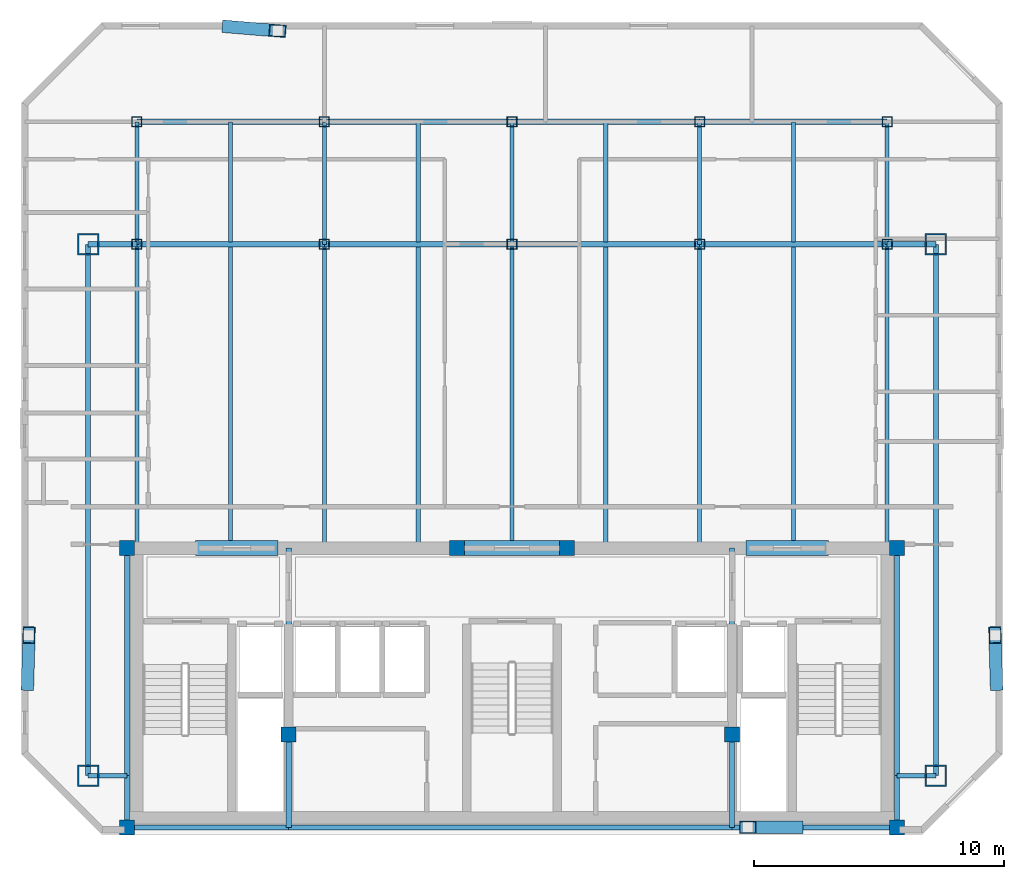
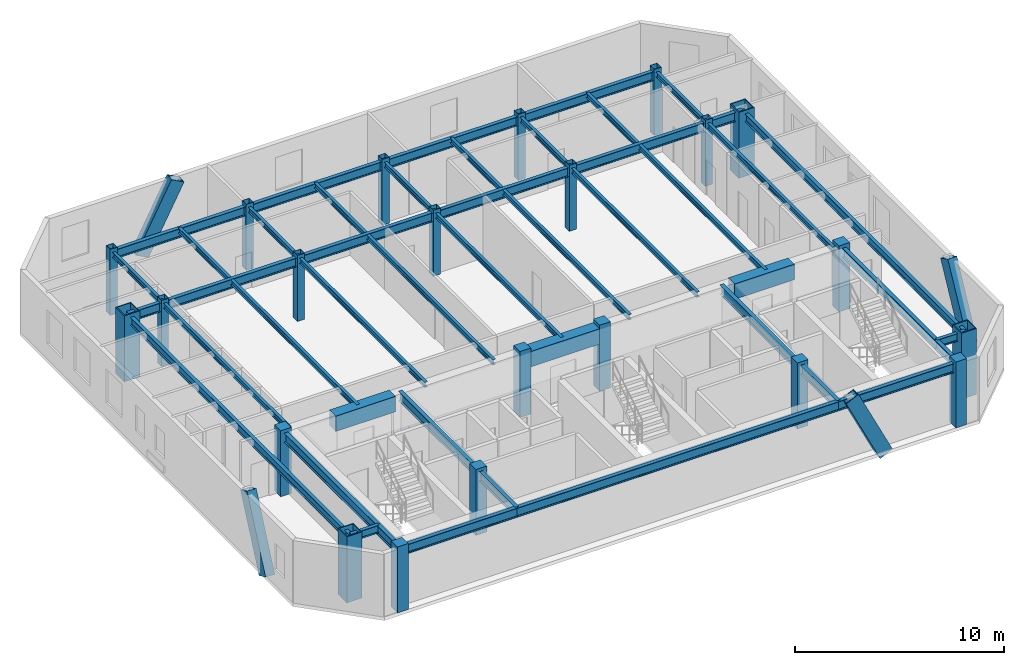
# One storey, part 1 of 7: 46 beams, 22 columns, 4 members.
"""IFC4 building model written with IfcOpenShell, lengths in metres."""

from ifc_helpers import new_model, si_unit, direction, frame, origin, origin_2d, place, context, subcontext, project, spatial, rectangle, hollow_rectangle, i_section, extrude, material, material_profile, profile_set, type_object, element, save


model = new_model("IFC4")

# Units and contexts
model_context = context("Model", 3, precision=1e-05, world=origin(), true_north=direction((0.0, 1.0)))
body_context = subcontext(model_context, "Body", "Model", "MODEL_VIEW")
ifc_project = project(units=[si_unit("LENGTHUNIT", "METRE"), si_unit("AREAUNIT", "SQUARE_METRE"), si_unit("VOLUMEUNIT", "CUBIC_METRE"), si_unit("PLANEANGLEUNIT", "RADIAN"), si_unit("MASSUNIT", "GRAM", prefix="KILO")], contexts=[model_context])

# Site, building, storey
site_placement = place(None, origin())
site = spatial("IfcSite", under=ifc_project, at=site_placement, CompositionType="ELEMENT")
building_placement = place(site_placement, origin())
building = spatial("IfcBuilding", under=site, at=building_placement, Name="Ventersveld Concourse Tower", CompositionType="ELEMENT")
storey_placement = place(building_placement, frame((0.0, 0.0, 324.60009765625)))
storey = spatial("IfcBuildingStorey", under=building, at=storey_placement, Name="L80", CompositionType="ELEMENT", Elevation=324.60009765625)

# Columns
ifc_material_1 = material(Name="Concrete C50/60", Category="concrete")
ifc_material_profile_1 = material_profile(ifc_material_1, rectangle(XDim=0.60009765625, YDim=0.60009765625, at=origin_2d()), Name="RC 600x600")
ifc_profile_set_1 = profile_set([ifc_material_profile_1], Name="Concrete C50/60")
column_type_1 = type_object("IfcColumnType", Name="COL-RC600", PredefinedType="COLUMN", material=ifc_profile_set_1)
for number, where, z_axis, x_axis, name in (
    (1, (13.35009765625, 0.280029296875, 0.0), (0.0, 0.0, 1.0), (1.0, 0.0, 0.0), "L80 Core Spine Column CC-SW"),
    (2, (44.14990234375, 0.280029296875, 0.0), (0.0, 0.0, 1.0), (1.0, 0.0, 0.0), "L80 Core Spine Column CC-SE"),
    (3, (13.35009765625, 11.449951171875, 0.0), (0.0, 0.0, 1.0), (1.0, 0.0, 0.0), "L80 Core Spine Column CC-NW"),
    (4, (44.14990234375, 11.449951171875, 0.0), (0.0, 0.0, 1.0), (1.0, 0.0, 0.0), "L80 Core Spine Column CC-NE"),
    (5, (19.820068359375, 4.0, 0.0), (0.0, 0.0, 1.0), (1.0, 0.0, 0.0), "L80 Core Spine Column CM-1"),
    (6, (37.550048828125, 4.0, 0.0), (0.0, 0.0, 1.0), (1.0, 0.0, 0.0), "L80 Core Spine Column CM-2"),
    (7, (26.550048828125, 11.449951171875, 0.0), (0.0, 0.0, 1.0), (1.0, 0.0, 0.0), "L80 Core Spine Column CM-3"),
    (8, (30.949951171875, 11.449951171875, 0.0), (0.0, 0.0, 1.0), (1.0, 0.0, 0.0), "L80 Core Spine Column CM-4"),
):
    element("IfcColumn", number, at=place(storey_placement, frame(where, z_axis=z_axis, x_axis=x_axis)), inside=storey, type_object=column_type_1, Name=name, PredefinedType="COLUMN", context=body_context, shape_type="SweptSolid", body=[
        extrude(rectangle(XDim=0.60009765625, YDim=0.60009765625, at=origin_2d()), origin(), (0.0, 0.0, 1.0), 3.849853515625),
    ])
ifc_material_2 = material(Name="Structural steel S355J2", Category="steel")
ifc_material_profile_2 = material_profile(ifc_material_2, hollow_rectangle(XDim=0.39990234375, YDim=0.39990234375, WallThickness=0.02001953125, at=origin_2d()), Name="SHS 400x400x20")
ifc_profile_set_2 = profile_set([ifc_material_profile_2], Name="Structural steel S355J2")
column_type_2 = type_object("IfcColumnType", Name="COL-SHS400", PredefinedType="COLUMN", material=ifc_profile_set_2)
for number, where, z_axis, x_axis, name in (
    (9, (13.75, 23.60009765625, 0.0), (0.0, 0.0, 1.0), (1.0, 0.0, 0.0), "L80 Interior Gravity Column X=13.75 Y=23.60"),
    (10, (21.25, 23.60009765625, 0.0), (0.0, 0.0, 1.0), (1.0, 0.0, 0.0), "L80 Interior Gravity Column X=21.25 Y=23.60"),
    (11, (28.75, 23.60009765625, 0.0), (0.0, 0.0, 1.0), (1.0, 0.0, 0.0), "L80 Interior Gravity Column X=28.75 Y=23.60"),
    (12, (36.25, 23.60009765625, 0.0), (0.0, 0.0, 1.0), (1.0, 0.0, 0.0), "L80 Interior Gravity Column X=36.25 Y=23.60"),
    (13, (43.75, 23.60009765625, 0.0), (0.0, 0.0, 1.0), (1.0, 0.0, 0.0), "L80 Interior Gravity Column X=43.75 Y=23.60"),
    (14, (13.75, 28.5, 0.0), (0.0, 0.0, 1.0), (1.0, 0.0, 0.0), "L80 Upper-North Gravity Column X=13.75 Y=28.50"),
    (15, (21.25, 28.5, 0.0), (0.0, 0.0, 1.0), (1.0, 0.0, 0.0), "L80 Upper-North Gravity Column X=21.25 Y=28.50"),
    (16, (28.75, 28.5, 0.0), (0.0, 0.0, 1.0), (1.0, 0.0, 0.0), "L80 Upper-North Gravity Column X=28.75 Y=28.50"),
    (17, (36.25, 28.5, 0.0), (0.0, 0.0, 1.0), (1.0, 0.0, 0.0), "L80 Upper-North Gravity Column X=36.25 Y=28.50"),
    (18, (43.75, 28.5, 0.0), (0.0, 0.0, 1.0), (1.0, 0.0, 0.0), "L80 Upper-North Gravity Column X=43.75 Y=28.50"),
):
    element("IfcColumn", number, at=place(storey_placement, frame(where, z_axis=z_axis, x_axis=x_axis)), inside=storey, type_object=column_type_2, Name=name, PredefinedType="COLUMN", context=body_context, shape_type="SweptSolid", body=[
        extrude(hollow_rectangle(XDim=0.39990234375, YDim=0.39990234375, WallThickness=0.02001953125, at=origin_2d()), origin(), (0.0, 0.0, 1.0), 3.849853515625),
    ])
ifc_material_3 = material(Name="Structural steel S460ML", Category="steel")
ifc_material_profile_3 = material_profile(ifc_material_3, hollow_rectangle(XDim=0.85009765625, YDim=0.85009765625, WallThickness=0.050048828125, at=origin_2d()), Name="BOX 850x850x50")
ifc_profile_set_3 = profile_set([ifc_material_profile_3], Name="Structural steel S460ML")
column_type_3 = type_object("IfcColumnType", Name="MC-850", PredefinedType="USERDEFINED", material=ifc_profile_set_3)
for number, where, z_axis, x_axis, name in (
    (19, (11.800048828125, 2.35009765625, 0.0), (0.0, 0.0, 1.0), (1.0, 0.0, 0.0), "L80 Corner Mega-Column MC-SW"),
    (20, (45.699951171875, 2.35009765625, 0.0), (0.0, 0.0, 1.0), (1.0, 0.0, 0.0), "L80 Corner Mega-Column MC-SE"),
    (21, (45.699951171875, 23.60009765625, 0.0), (0.0, 0.0, 1.0), (1.0, 0.0, 0.0), "L80 Corner Mega-Column MC-NE"),
    (22, (11.800048828125, 23.60009765625, 0.0), (0.0, 0.0, 1.0), (1.0, 0.0, 0.0), "L80 Corner Mega-Column MC-NW"),
):
    element("IfcColumn", number, at=place(storey_placement, frame(where, z_axis=z_axis, x_axis=x_axis)), inside=storey, type_object=column_type_3, Name=name, ObjectType="MEGA_COLUMN", PredefinedType="USERDEFINED", context=body_context, shape_type="SweptSolid", body=[
        extrude(hollow_rectangle(XDim=0.85009765625, YDim=0.85009765625, WallThickness=0.050048828125, at=origin_2d()), origin(), (0.0, 0.0, 1.0), 3.849853515625),
    ])

# Beams
ifc_material_profile_4 = material_profile(ifc_material_2, i_section(OverallWidth=0.1650390625, OverallDepth=0.303466796875, WebThickness=0.006103515625, FlangeThickness=0.01025390625, FilletRadius=0.0087890625, at=origin_2d()), Name="UB 305x165x40")
ifc_profile_set_4 = profile_set([ifc_material_profile_4], Name="Structural steel S355J2")
beam_type_1 = type_object("IfcBeamType", Name="BM-UB305", PredefinedType="BEAM", material=ifc_profile_set_4)
beam_1_placement = place(storey_placement, frame((13.75, 11.449951171875, 3.498291015625), z_axis=(0.0, 1.0, 0.0), x_axis=(-1.0, 0.0, 0.0)))
element("IfcBeam", 23, at=beam_1_placement, inside=storey, type_object=beam_type_1, Name="L80 N-S Composite Floor Beam South X=13.75", PredefinedType="BEAM", context=body_context, shape_type="SweptSolid", body=[
    extrude(i_section(OverallWidth=0.1650390625, OverallDepth=0.303466796875, WebThickness=0.006103515625, FlangeThickness=0.01025390625, FilletRadius=0.0087890625, at=origin_2d()), origin(), (0.0, 0.0, 1.0), 12.150146484375),
])
beam_2_placement = place(storey_placement, frame((13.75, 23.60009765625, 3.498291015625), z_axis=(0.0, 1.0, 0.0), x_axis=(-1.0, 0.0, 0.0)))
element("IfcBeam", 24, at=beam_2_placement, inside=storey, type_object=beam_type_1, Name="L80 N-S Upper-Zone Floor Beam X=13.75", PredefinedType="BEAM", context=body_context, shape_type="SweptSolid", body=[
    extrude(i_section(OverallWidth=0.1650390625, OverallDepth=0.303466796875, WebThickness=0.006103515625, FlangeThickness=0.01025390625, FilletRadius=0.0087890625, at=origin_2d()), origin(), (0.0, 0.0, 1.0), 4.89990234375),
])
beam_3_placement = place(storey_placement, frame((17.5, 11.449951171875, 3.498291015625), z_axis=(0.0, 1.0, 0.0), x_axis=(-1.0, 0.0, 0.0)))
element("IfcBeam", 25, at=beam_3_placement, inside=storey, type_object=beam_type_1, Name="L80 N-S Composite Floor Beam South X=17.50", PredefinedType="BEAM", context=body_context, shape_type="SweptSolid", body=[
    extrude(i_section(OverallWidth=0.1650390625, OverallDepth=0.303466796875, WebThickness=0.006103515625, FlangeThickness=0.01025390625, FilletRadius=0.0087890625, at=origin_2d()), origin(), (0.0, 0.0, 1.0), 12.054931640625),
])
beam_4_placement = place(storey_placement, frame((17.5, 23.695068359375, 3.498291015625), z_axis=(0.0, 1.0, 0.0), x_axis=(-1.0, 0.0, 0.0)))
element("IfcBeam", 26, at=beam_4_placement, inside=storey, type_object=beam_type_1, Name="L80 N-S Upper-Zone Floor Beam X=17.50", PredefinedType="BEAM", context=body_context, shape_type="SweptSolid", body=[
    extrude(i_section(OverallWidth=0.1650390625, OverallDepth=0.303466796875, WebThickness=0.006103515625, FlangeThickness=0.01025390625, FilletRadius=0.0087890625, at=origin_2d()), origin(), (0.0, 0.0, 1.0), 4.804931640625),
])
beam_5_placement = place(storey_placement, frame((21.25, 11.449951171875, 3.498291015625), z_axis=(0.0, 1.0, 0.0), x_axis=(-1.0, 0.0, 0.0)))
element("IfcBeam", 27, at=beam_5_placement, inside=storey, type_object=beam_type_1, Name="L80 N-S Composite Floor Beam South X=21.25", PredefinedType="BEAM", context=body_context, shape_type="SweptSolid", body=[
    extrude(i_section(OverallWidth=0.1650390625, OverallDepth=0.303466796875, WebThickness=0.006103515625, FlangeThickness=0.01025390625, FilletRadius=0.0087890625, at=origin_2d()), origin(), (0.0, 0.0, 1.0), 12.150146484375),
])
beam_6_placement = place(storey_placement, frame((21.25, 23.60009765625, 3.498291015625), z_axis=(0.0, 1.0, 0.0), x_axis=(-1.0, 0.0, 0.0)))
element("IfcBeam", 28, at=beam_6_placement, inside=storey, type_object=beam_type_1, Name="L80 N-S Upper-Zone Floor Beam X=21.25", PredefinedType="BEAM", context=body_context, shape_type="SweptSolid", body=[
    extrude(i_section(OverallWidth=0.1650390625, OverallDepth=0.303466796875, WebThickness=0.006103515625, FlangeThickness=0.01025390625, FilletRadius=0.0087890625, at=origin_2d()), origin(), (0.0, 0.0, 1.0), 4.89990234375),
])
beam_7_placement = place(storey_placement, frame((25.0, 11.449951171875, 3.498291015625), z_axis=(0.0, 1.0, 0.0), x_axis=(-1.0, 0.0, 0.0)))
element("IfcBeam", 29, at=beam_7_placement, inside=storey, type_object=beam_type_1, Name="L80 N-S Composite Floor Beam South X=25.00", PredefinedType="BEAM", context=body_context, shape_type="SweptSolid", body=[
    extrude(i_section(OverallWidth=0.1650390625, OverallDepth=0.303466796875, WebThickness=0.006103515625, FlangeThickness=0.01025390625, FilletRadius=0.0087890625, at=origin_2d()), origin(), (0.0, 0.0, 1.0), 12.054931640625),
])
beam_8_placement = place(storey_placement, frame((25.0, 23.695068359375, 3.498291015625), z_axis=(0.0, 1.0, 0.0), x_axis=(-1.0, 0.0, 0.0)))
element("IfcBeam", 30, at=beam_8_placement, inside=storey, type_object=beam_type_1, Name="L80 N-S Upper-Zone Floor Beam X=25.00", PredefinedType="BEAM", context=body_context, shape_type="SweptSolid", body=[
    extrude(i_section(OverallWidth=0.1650390625, OverallDepth=0.303466796875, WebThickness=0.006103515625, FlangeThickness=0.01025390625, FilletRadius=0.0087890625, at=origin_2d()), origin(), (0.0, 0.0, 1.0), 4.804931640625),
])
beam_9_placement = place(storey_placement, frame((28.75, 11.449951171875, 3.498291015625), z_axis=(0.0, 1.0, 0.0), x_axis=(-1.0, 0.0, 0.0)))
element("IfcBeam", 31, at=beam_9_placement, inside=storey, type_object=beam_type_1, Name="L80 N-S Composite Floor Beam South X=28.75", PredefinedType="BEAM", context=body_context, shape_type="SweptSolid", body=[
    extrude(i_section(OverallWidth=0.1650390625, OverallDepth=0.303466796875, WebThickness=0.006103515625, FlangeThickness=0.01025390625, FilletRadius=0.0087890625, at=origin_2d()), origin(), (0.0, 0.0, 1.0), 12.150146484375),
])
beam_10_placement = place(storey_placement, frame((28.75, 23.60009765625, 3.498291015625), z_axis=(0.0, 1.0, 0.0), x_axis=(-1.0, 0.0, 0.0)))
element("IfcBeam", 32, at=beam_10_placement, inside=storey, type_object=beam_type_1, Name="L80 N-S Upper-Zone Floor Beam X=28.75", PredefinedType="BEAM", context=body_context, shape_type="SweptSolid", body=[
    extrude(i_section(OverallWidth=0.1650390625, OverallDepth=0.303466796875, WebThickness=0.006103515625, FlangeThickness=0.01025390625, FilletRadius=0.0087890625, at=origin_2d()), origin(), (0.0, 0.0, 1.0), 4.89990234375),
])
beam_11_placement = place(storey_placement, frame((32.5, 11.449951171875, 3.498291015625), z_axis=(0.0, 1.0, 0.0), x_axis=(-1.0, 0.0, 0.0)))
element("IfcBeam", 33, at=beam_11_placement, inside=storey, type_object=beam_type_1, Name="L80 N-S Composite Floor Beam South X=32.50", PredefinedType="BEAM", context=body_context, shape_type="SweptSolid", body=[
    extrude(i_section(OverallWidth=0.1650390625, OverallDepth=0.303466796875, WebThickness=0.006103515625, FlangeThickness=0.01025390625, FilletRadius=0.0087890625, at=origin_2d()), origin(), (0.0, 0.0, 1.0), 12.054931640625),
])
beam_12_placement = place(storey_placement, frame((32.5, 23.695068359375, 3.498291015625), z_axis=(0.0, 1.0, 0.0), x_axis=(-1.0, 0.0, 0.0)))
element("IfcBeam", 34, at=beam_12_placement, inside=storey, type_object=beam_type_1, Name="L80 N-S Upper-Zone Floor Beam X=32.50", PredefinedType="BEAM", context=body_context, shape_type="SweptSolid", body=[
    extrude(i_section(OverallWidth=0.1650390625, OverallDepth=0.303466796875, WebThickness=0.006103515625, FlangeThickness=0.01025390625, FilletRadius=0.0087890625, at=origin_2d()), origin(), (0.0, 0.0, 1.0), 4.804931640625),
])
beam_13_placement = place(storey_placement, frame((36.25, 11.449951171875, 3.498291015625), z_axis=(0.0, 1.0, 0.0), x_axis=(-1.0, 0.0, 0.0)))
element("IfcBeam", 35, at=beam_13_placement, inside=storey, type_object=beam_type_1, Name="L80 N-S Composite Floor Beam South X=36.25", PredefinedType="BEAM", context=body_context, shape_type="SweptSolid", body=[
    extrude(i_section(OverallWidth=0.1650390625, OverallDepth=0.303466796875, WebThickness=0.006103515625, FlangeThickness=0.01025390625, FilletRadius=0.0087890625, at=origin_2d()), origin(), (0.0, 0.0, 1.0), 12.150146484375),
])
beam_14_placement = place(storey_placement, frame((36.25, 23.60009765625, 3.498291015625), z_axis=(0.0, 1.0, 0.0), x_axis=(-1.0, 0.0, 0.0)))
element("IfcBeam", 36, at=beam_14_placement, inside=storey, type_object=beam_type_1, Name="L80 N-S Upper-Zone Floor Beam X=36.25", PredefinedType="BEAM", context=body_context, shape_type="SweptSolid", body=[
    extrude(i_section(OverallWidth=0.1650390625, OverallDepth=0.303466796875, WebThickness=0.006103515625, FlangeThickness=0.01025390625, FilletRadius=0.0087890625, at=origin_2d()), origin(), (0.0, 0.0, 1.0), 4.89990234375),
])
beam_15_placement = place(storey_placement, frame((40.0, 11.449951171875, 3.498291015625), z_axis=(0.0, 1.0, 0.0), x_axis=(-1.0, 0.0, 0.0)))
element("IfcBeam", 37, at=beam_15_placement, inside=storey, type_object=beam_type_1, Name="L80 N-S Composite Floor Beam South X=40.00", PredefinedType="BEAM", context=body_context, shape_type="SweptSolid", body=[
    extrude(i_section(OverallWidth=0.1650390625, OverallDepth=0.303466796875, WebThickness=0.006103515625, FlangeThickness=0.01025390625, FilletRadius=0.0087890625, at=origin_2d()), origin(), (0.0, 0.0, 1.0), 12.054931640625),
])
beam_16_placement = place(storey_placement, frame((40.0, 23.695068359375, 3.498291015625), z_axis=(0.0, 1.0, 0.0), x_axis=(-1.0, 0.0, 0.0)))
element("IfcBeam", 38, at=beam_16_placement, inside=storey, type_object=beam_type_1, Name="L80 N-S Upper-Zone Floor Beam X=40.00", PredefinedType="BEAM", context=body_context, shape_type="SweptSolid", body=[
    extrude(i_section(OverallWidth=0.1650390625, OverallDepth=0.303466796875, WebThickness=0.006103515625, FlangeThickness=0.01025390625, FilletRadius=0.0087890625, at=origin_2d()), origin(), (0.0, 0.0, 1.0), 4.804931640625),
])
beam_17_placement = place(storey_placement, frame((43.75, 11.449951171875, 3.498291015625), z_axis=(0.0, 1.0, 0.0), x_axis=(-1.0, 0.0, 0.0)))
element("IfcBeam", 39, at=beam_17_placement, inside=storey, type_object=beam_type_1, Name="L80 N-S Composite Floor Beam South X=43.75", PredefinedType="BEAM", context=body_context, shape_type="SweptSolid", body=[
    extrude(i_section(OverallWidth=0.1650390625, OverallDepth=0.303466796875, WebThickness=0.006103515625, FlangeThickness=0.01025390625, FilletRadius=0.0087890625, at=origin_2d()), origin(), (0.0, 0.0, 1.0), 12.150146484375),
])
beam_18_placement = place(storey_placement, frame((43.75, 23.60009765625, 3.498291015625), z_axis=(0.0, 1.0, 0.0), x_axis=(-1.0, 0.0, 0.0)))
element("IfcBeam", 40, at=beam_18_placement, inside=storey, type_object=beam_type_1, Name="L80 N-S Upper-Zone Floor Beam X=43.75", PredefinedType="BEAM", context=body_context, shape_type="SweptSolid", body=[
    extrude(i_section(OverallWidth=0.1650390625, OverallDepth=0.303466796875, WebThickness=0.006103515625, FlangeThickness=0.01025390625, FilletRadius=0.0087890625, at=origin_2d()), origin(), (0.0, 0.0, 1.0), 4.89990234375),
])
ifc_material_profile_5 = material_profile(ifc_material_1, rectangle(XDim=0.60009765625, YDim=0.89990234375, at=origin_2d()), Name="RC 600x900")
ifc_profile_set_5 = profile_set([ifc_material_profile_5], Name="Concrete C50/60")
beam_type_2 = type_object("IfcBeamType", Name="CB-RC600x900U", PredefinedType="LINTEL", material=ifc_profile_set_5)
beam_19_placement = place(storey_placement, frame((16.10009765625, 11.449951171875, 3.199951171875), z_axis=(1.0, 0.0, 0.0), x_axis=(0.0, 1.0, 0.0)))
element("IfcBeam", 41, at=beam_19_placement, inside=storey, type_object=beam_type_2, Name="L80 Core Coupling Lintel Beam 1", PredefinedType="LINTEL", context=body_context, shape_type="SweptSolid", body=[
    extrude(rectangle(XDim=0.60009765625, YDim=0.89990234375, at=origin_2d()), origin(), (0.0, 0.0, 1.0), 3.2998046875),
])
beam_20_placement = place(storey_placement, frame((26.5, 11.449951171875, 3.199951171875), z_axis=(1.0, 0.0, 0.0), x_axis=(0.0, 1.0, 0.0)))
element("IfcBeam", 42, at=beam_20_placement, inside=storey, type_object=beam_type_2, Name="L80 Core Coupling Lintel Beam 2", PredefinedType="LINTEL", context=body_context, shape_type="SweptSolid", body=[
    extrude(rectangle(XDim=0.60009765625, YDim=0.89990234375, at=origin_2d()), origin(), (0.0, 0.0, 1.0), 4.5),
])
beam_21_placement = place(storey_placement, frame((38.10009765625, 11.449951171875, 3.199951171875), z_axis=(1.0, 0.0, 0.0), x_axis=(0.0, 1.0, 0.0)))
element("IfcBeam", 43, at=beam_21_placement, inside=storey, type_object=beam_type_2, Name="L80 Core Coupling Lintel Beam 3", PredefinedType="LINTEL", context=body_context, shape_type="SweptSolid", body=[
    extrude(rectangle(XDim=0.60009765625, YDim=0.89990234375, at=origin_2d()), origin(), (0.0, 0.0, 1.0), 3.2998046875),
])
ifc_material_profile_6 = material_profile(ifc_material_2, i_section(OverallWidth=0.209228515625, OverallDepth=0.533203125, WebThickness=0.010009765625, FlangeThickness=0.015625, FilletRadius=0.0126953125, at=origin_2d()), Name="UB 533x210x92")
ifc_profile_set_6 = profile_set([ifc_material_profile_6], Name="Structural steel S355J2")
beam_type_3 = type_object("IfcBeamType", Name="GRD-UB533", PredefinedType="T_BEAM", material=ifc_profile_set_6)
beam_22_placement = place(storey_placement, frame((11.800048828125, 23.60009765625, 3.38330078125), z_axis=(1.0, 0.0, 0.0), x_axis=(0.0, 1.0, 0.0)))
element("IfcBeam", 44, at=beam_22_placement, inside=storey, type_object=beam_type_3, Name="L80 Primary E-W Grid Girder Y=23.60 #1", PredefinedType="T_BEAM", context=body_context, shape_type="SweptSolid", body=[
    extrude(i_section(OverallWidth=0.209228515625, OverallDepth=0.533203125, WebThickness=0.010009765625, FlangeThickness=0.015625, FilletRadius=0.0126953125, at=origin_2d()), origin(), (0.0, 0.0, 1.0), 1.949951171875),
])
for number, where, z_axis, x_axis, name in (
    (45, (13.75, 23.60009765625, 3.38330078125), (1.0, 0.0, 0.0), (0.0, 1.0, 0.0), "L80 Primary E-W Grid Girder Y=23.60 #2"),
    (46, (21.25, 23.60009765625, 3.38330078125), (1.0, 0.0, 0.0), (0.0, 1.0, 0.0), "L80 Primary E-W Grid Girder Y=23.60 #3"),
    (47, (28.75, 23.60009765625, 3.38330078125), (1.0, 0.0, 0.0), (0.0, 1.0, 0.0), "L80 Primary E-W Grid Girder Y=23.60 #4"),
    (48, (36.25, 23.60009765625, 3.38330078125), (1.0, 0.0, 0.0), (0.0, 1.0, 0.0), "L80 Primary E-W Grid Girder Y=23.60 #5"),
):
    element("IfcBeam", number, at=place(storey_placement, frame(where, z_axis=z_axis, x_axis=x_axis)), inside=storey, type_object=beam_type_3, Name=name, PredefinedType="T_BEAM", context=body_context, shape_type="SweptSolid", body=[
        extrude(i_section(OverallWidth=0.209228515625, OverallDepth=0.533203125, WebThickness=0.010009765625, FlangeThickness=0.015625, FilletRadius=0.0126953125, at=origin_2d()), origin(), (0.0, 0.0, 1.0), 7.5),
    ])
beam_23_placement = place(storey_placement, frame((43.75, 23.60009765625, 3.38330078125), z_axis=(1.0, 0.0, 0.0), x_axis=(0.0, 1.0, 0.0)))
element("IfcBeam", 49, at=beam_23_placement, inside=storey, type_object=beam_type_3, Name="L80 Primary E-W Grid Girder Y=23.60 #6", PredefinedType="T_BEAM", context=body_context, shape_type="SweptSolid", body=[
    extrude(i_section(OverallWidth=0.209228515625, OverallDepth=0.533203125, WebThickness=0.010009765625, FlangeThickness=0.015625, FilletRadius=0.0126953125, at=origin_2d()), origin(), (0.0, 0.0, 1.0), 1.949951171875),
])
for number, where, z_axis, x_axis, name in (
    (50, (13.75, 28.5, 3.38330078125), (1.0, 0.0, 0.0), (0.0, 1.0, 0.0), "L80 Upper-North E-W Girder Y=28.50 #1"),
    (51, (21.25, 28.5, 3.38330078125), (1.0, 0.0, 0.0), (0.0, 1.0, 0.0), "L80 Upper-North E-W Girder Y=28.50 #2"),
    (52, (28.75, 28.5, 3.38330078125), (1.0, 0.0, 0.0), (0.0, 1.0, 0.0), "L80 Upper-North E-W Girder Y=28.50 #3"),
    (53, (36.25, 28.5, 3.38330078125), (1.0, 0.0, 0.0), (0.0, 1.0, 0.0), "L80 Upper-North E-W Girder Y=28.50 #4"),
):
    element("IfcBeam", number, at=place(storey_placement, frame(where, z_axis=z_axis, x_axis=x_axis)), inside=storey, type_object=beam_type_3, Name=name, PredefinedType="T_BEAM", context=body_context, shape_type="SweptSolid", body=[
        extrude(i_section(OverallWidth=0.209228515625, OverallDepth=0.533203125, WebThickness=0.010009765625, FlangeThickness=0.015625, FilletRadius=0.0126953125, at=origin_2d()), origin(), (0.0, 0.0, 1.0), 7.5),
    ])
ifc_material_profile_7 = material_profile(ifc_material_2, i_section(OverallWidth=0.2119140625, OverallDepth=0.54443359375, WebThickness=0.0126953125, FlangeThickness=0.021240234375, FilletRadius=0.0126953125, at=origin_2d()), Name="UB 533x210x122")
ifc_profile_set_7 = profile_set([ifc_material_profile_7], Name="Structural steel S355J2")
beam_type_4 = type_object("IfcBeamType", Name="GRD-UB533H", PredefinedType="T_BEAM", material=ifc_profile_set_7)
beam_24_placement = place(storey_placement, frame((13.35009765625, 0.280029296875, 3.377685546875), z_axis=(0.0, 1.0, 0.0), x_axis=(-1.0, 0.0, 0.0)))
element("IfcBeam", 54, at=beam_24_placement, inside=storey, type_object=beam_type_4, Name="L80 Core West Tie Beam S", PredefinedType="T_BEAM", context=body_context, shape_type="SweptSolid", body=[
    extrude(i_section(OverallWidth=0.2119140625, OverallDepth=0.54443359375, WebThickness=0.0126953125, FlangeThickness=0.021240234375, FilletRadius=0.0126953125, at=origin_2d()), origin(), (0.0, 0.0, 1.0), 2.070068359375),
])
beam_25_placement = place(storey_placement, frame((13.35009765625, 2.35009765625, 3.377685546875), z_axis=(0.0, 1.0, 0.0), x_axis=(-1.0, 0.0, 0.0)))
element("IfcBeam", 55, at=beam_25_placement, inside=storey, type_object=beam_type_4, Name="L80 Core West Tie Beam N", PredefinedType="T_BEAM", context=body_context, shape_type="SweptSolid", body=[
    extrude(i_section(OverallWidth=0.2119140625, OverallDepth=0.54443359375, WebThickness=0.0126953125, FlangeThickness=0.021240234375, FilletRadius=0.0126953125, at=origin_2d()), origin(), (0.0, 0.0, 1.0), 9.099853515625),
])
beam_26_placement = place(storey_placement, frame((44.14990234375, 0.280029296875, 3.377685546875), z_axis=(0.0, 1.0, 0.0), x_axis=(-1.0, 0.0, 0.0)))
element("IfcBeam", 56, at=beam_26_placement, inside=storey, type_object=beam_type_4, Name="L80 Core East Tie Beam S", PredefinedType="T_BEAM", context=body_context, shape_type="SweptSolid", body=[
    extrude(i_section(OverallWidth=0.2119140625, OverallDepth=0.54443359375, WebThickness=0.0126953125, FlangeThickness=0.021240234375, FilletRadius=0.0126953125, at=origin_2d()), origin(), (0.0, 0.0, 1.0), 2.070068359375),
])
beam_27_placement = place(storey_placement, frame((44.14990234375, 2.35009765625, 3.377685546875), z_axis=(0.0, 1.0, 0.0), x_axis=(-1.0, 0.0, 0.0)))
element("IfcBeam", 57, at=beam_27_placement, inside=storey, type_object=beam_type_4, Name="L80 Core East Tie Beam N", PredefinedType="T_BEAM", context=body_context, shape_type="SweptSolid", body=[
    extrude(i_section(OverallWidth=0.2119140625, OverallDepth=0.54443359375, WebThickness=0.0126953125, FlangeThickness=0.021240234375, FilletRadius=0.0126953125, at=origin_2d()), origin(), (0.0, 0.0, 1.0), 9.099853515625),
])
beam_28_placement = place(storey_placement, frame((13.35009765625, 0.280029296875, 3.377685546875), z_axis=(1.0, 0.0, 0.0), x_axis=(0.0, 1.0, 0.0)))
element("IfcBeam", 58, at=beam_28_placement, inside=storey, type_object=beam_type_4, Name="L80 Core South Tie Beam W", PredefinedType="T_BEAM", context=body_context, shape_type="SweptSolid", body=[
    extrude(i_section(OverallWidth=0.2119140625, OverallDepth=0.54443359375, WebThickness=0.0126953125, FlangeThickness=0.021240234375, FilletRadius=0.0126953125, at=origin_2d()), origin(), (0.0, 0.0, 1.0), 6.469970703125),
])
beam_29_placement = place(storey_placement, frame((19.820068359375, 0.280029296875, 3.377685546875), z_axis=(1.0, 0.0, 0.0), x_axis=(0.0, 1.0, 0.0)))
element("IfcBeam", 59, at=beam_29_placement, inside=storey, type_object=beam_type_4, Name="L80 Core South Tie Beam C", PredefinedType="T_BEAM", context=body_context, shape_type="SweptSolid", body=[
    extrude(i_section(OverallWidth=0.2119140625, OverallDepth=0.54443359375, WebThickness=0.0126953125, FlangeThickness=0.021240234375, FilletRadius=0.0126953125, at=origin_2d()), origin(), (0.0, 0.0, 1.0), 17.72998046875),
])
beam_30_placement = place(storey_placement, frame((37.550048828125, 0.280029296875, 3.377685546875), z_axis=(1.0, 0.0, 0.0), x_axis=(0.0, 1.0, 0.0)))
element("IfcBeam", 60, at=beam_30_placement, inside=storey, type_object=beam_type_4, Name="L80 Core South Tie Beam E", PredefinedType="T_BEAM", context=body_context, shape_type="SweptSolid", body=[
    extrude(i_section(OverallWidth=0.2119140625, OverallDepth=0.54443359375, WebThickness=0.0126953125, FlangeThickness=0.021240234375, FilletRadius=0.0126953125, at=origin_2d()), origin(), (0.0, 0.0, 1.0), 6.599853515625),
])
beam_31_placement = place(storey_placement, frame((19.820068359375, 0.280029296875, 3.377685546875), z_axis=(0.0, 1.0, 0.0), x_axis=(-1.0, 0.0, 0.0)))
element("IfcBeam", 61, at=beam_31_placement, inside=storey, type_object=beam_type_4, Name="L80 Core Spine N-S Tie Beam W1", PredefinedType="T_BEAM", context=body_context, shape_type="SweptSolid", body=[
    extrude(i_section(OverallWidth=0.2119140625, OverallDepth=0.54443359375, WebThickness=0.0126953125, FlangeThickness=0.021240234375, FilletRadius=0.0126953125, at=origin_2d()), origin(), (0.0, 0.0, 1.0), 3.719970703125),
])
beam_32_placement = place(storey_placement, frame((19.820068359375, 4.0, 3.377685546875), z_axis=(0.0, 1.0, 0.0), x_axis=(-1.0, 0.0, 0.0)))
element("IfcBeam", 62, at=beam_32_placement, inside=storey, type_object=beam_type_4, Name="L80 Core Spine N-S Tie Beam W2", PredefinedType="T_BEAM", context=body_context, shape_type="SweptSolid", body=[
    extrude(i_section(OverallWidth=0.2119140625, OverallDepth=0.54443359375, WebThickness=0.0126953125, FlangeThickness=0.021240234375, FilletRadius=0.0126953125, at=origin_2d()), origin(), (0.0, 0.0, 1.0), 7.449951171875),
])
beam_33_placement = place(storey_placement, frame((37.550048828125, 0.280029296875, 3.377685546875), z_axis=(0.0, 1.0, 0.0), x_axis=(-1.0, 0.0, 0.0)))
element("IfcBeam", 63, at=beam_33_placement, inside=storey, type_object=beam_type_4, Name="L80 Core Spine N-S Tie Beam E1", PredefinedType="T_BEAM", context=body_context, shape_type="SweptSolid", body=[
    extrude(i_section(OverallWidth=0.2119140625, OverallDepth=0.54443359375, WebThickness=0.0126953125, FlangeThickness=0.021240234375, FilletRadius=0.0126953125, at=origin_2d()), origin(), (0.0, 0.0, 1.0), 3.719970703125),
])
beam_34_placement = place(storey_placement, frame((37.550048828125, 4.0, 3.377685546875), z_axis=(0.0, 1.0, 0.0), x_axis=(-1.0, 0.0, 0.0)))
element("IfcBeam", 64, at=beam_34_placement, inside=storey, type_object=beam_type_4, Name="L80 Core Spine N-S Tie Beam E2", PredefinedType="T_BEAM", context=body_context, shape_type="SweptSolid", body=[
    extrude(i_section(OverallWidth=0.2119140625, OverallDepth=0.54443359375, WebThickness=0.0126953125, FlangeThickness=0.021240234375, FilletRadius=0.0126953125, at=origin_2d()), origin(), (0.0, 0.0, 1.0), 7.449951171875),
])

# Members
ifc_material_4 = material(Name="Structural steel S355ML", Category="steel")
ifc_material_profile_8 = material_profile(ifc_material_4, hollow_rectangle(XDim=0.5, YDim=0.75, WallThickness=0.034912109375, at=origin_2d()), Name="BOX 750x500x35")
ifc_profile_set_8 = profile_set([ifc_material_profile_8], Name="Structural steel S355ML")
member_type = type_object("IfcMemberType", Name="MB-750x500", PredefinedType="BRACE", material=ifc_profile_set_8)
member_1_placement = place(storey_placement, frame((17.5, 32.29345703125, -0.2001953125), z_axis=(0.437555539064, -0.036007174569, 0.898470162896), x_axis=(0.082014437678, 0.996631141402, 0.0)))
element("IfcMember", 65, at=member_1_placement, inside=storey, type_object=member_type, Name="L80 Exterior Mega-Brace N (Module M19)", PredefinedType="BRACE", context=body_context, shape_type="SweptSolid", body=[
    extrude(hollow_rectangle(XDim=0.5, YDim=0.75, WallThickness=0.034912109375, at=origin_2d()), origin(), (0.0, 0.0, 1.0), 4.28515625),
])
member_2_placement = place(storey_placement, frame((40.050048828125, 0.280029296875, -0.2001953125), z_axis=(-0.437839464193, 0.0, 0.899053170616), x_axis=(0.0, -1.0, 0.0)))
element("IfcMember", 66, at=member_2_placement, inside=storey, type_object=member_type, Name="L80 Exterior Mega-Brace S (Module M19)", PredefinedType="BRACE", context=body_context, shape_type="SweptSolid", body=[
    extrude(hollow_rectangle(XDim=0.5, YDim=0.75, WallThickness=0.034912109375, at=origin_2d()), origin(), (0.0, 0.0, 1.0), 4.282470703125),
])
for number, where, z_axis, x_axis, name in (
    (67, (9.379638671875, 6.10009765625, -0.2001953125), (0.012427295892, 0.437805653432, 0.898983744091), (-0.999597377348, 0.028373988055, 0.0), "L80 Exterior Mega-Brace W (Module M19)"),
    (68, (48.120361328125, 6.10009765625, -0.2001953125), (-0.012427295892, 0.437805653432, 0.898983744091), (-0.999597377348, -0.028373988055, 0.0), "L80 Exterior Mega-Brace E (Module M19)"),
):
    element("IfcMember", number, at=place(storey_placement, frame(where, z_axis=z_axis, x_axis=x_axis)), inside=storey, type_object=member_type, Name=name, PredefinedType="BRACE", context=body_context, shape_type="SweptSolid", body=[
        extrude(hollow_rectangle(XDim=0.5, YDim=0.75, WallThickness=0.034912109375, at=origin_2d()), origin(), (0.0, 0.0, 1.0), 4.28271484375),
    ])

# Beams
ifc_material_profile_9 = material_profile(ifc_material_2, i_section(OverallWidth=0.19140625, OverallDepth=0.4599609375, WebThickness=0.010009765625, FlangeThickness=0.01611328125, FilletRadius=0.01025390625, at=origin_2d()), Name="UB 457x191x82")
ifc_profile_set_9 = profile_set([ifc_material_profile_9], Name="Structural steel S355J2")
beam_type_5 = type_object("IfcBeamType", Name="SPD-UB457", PredefinedType="SPANDREL", material=ifc_profile_set_9)
for number, where, z_axis, x_axis, name in (
    (69, (11.800048828125, 2.35009765625, 3.419921875), (1.0, 0.0, 0.0), (0.0, 1.0, 0.0), "L80 SW Spandrel Beam"),
    (70, (44.14990234375, 2.35009765625, 3.419921875), (1.0, 0.0, 0.0), (0.0, 1.0, 0.0), "L80 SE Spandrel Beam"),
):
    element("IfcBeam", number, at=place(storey_placement, frame(where, z_axis=z_axis, x_axis=x_axis)), inside=storey, type_object=beam_type_5, Name=name, PredefinedType="SPANDREL", context=body_context, shape_type="SweptSolid", body=[
        extrude(i_section(OverallWidth=0.19140625, OverallDepth=0.4599609375, WebThickness=0.010009765625, FlangeThickness=0.01611328125, FilletRadius=0.01025390625, at=origin_2d()), origin(), (0.0, 0.0, 1.0), 1.550048828125),
    ])
for number, where, z_axis, x_axis, name in (
    (71, (11.800048828125, 2.35009765625, 3.419921875), (0.0, 1.0, 0.0), (-1.0, 0.0, 0.0), "L80 West Spandrel Beam"),
    (72, (45.699951171875, 2.35009765625, 3.419921875), (0.0, 1.0, 0.0), (-1.0, 0.0, 0.0), "L80 East Spandrel Beam"),
):
    element("IfcBeam", number, at=place(storey_placement, frame(where, z_axis=z_axis, x_axis=x_axis)), inside=storey, type_object=beam_type_5, Name=name, PredefinedType="SPANDREL", context=body_context, shape_type="SweptSolid", body=[
        extrude(i_section(OverallWidth=0.19140625, OverallDepth=0.4599609375, WebThickness=0.010009765625, FlangeThickness=0.01611328125, FilletRadius=0.01025390625, at=origin_2d()), origin(), (0.0, 0.0, 1.0), 21.25),
    ])

save(model, "model.ifc")
